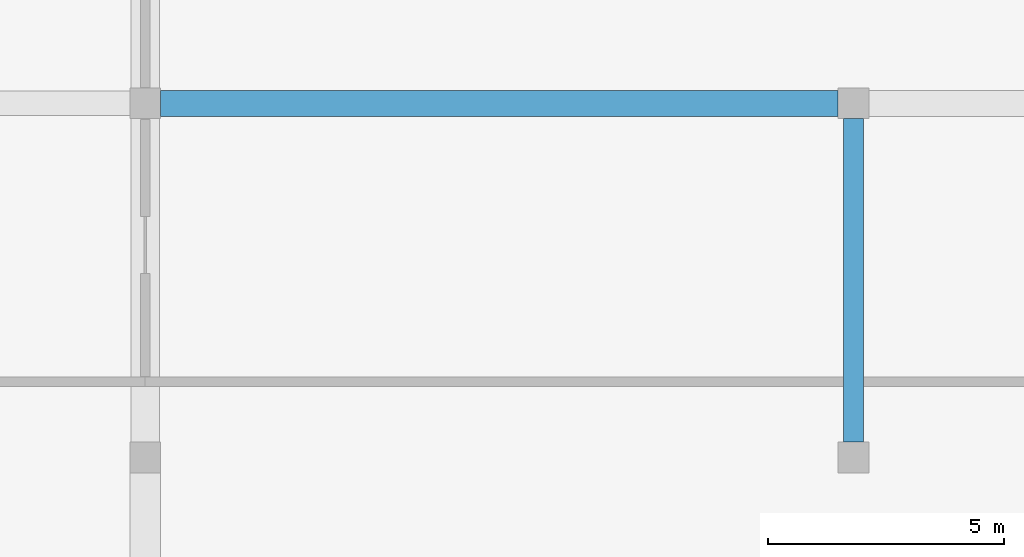
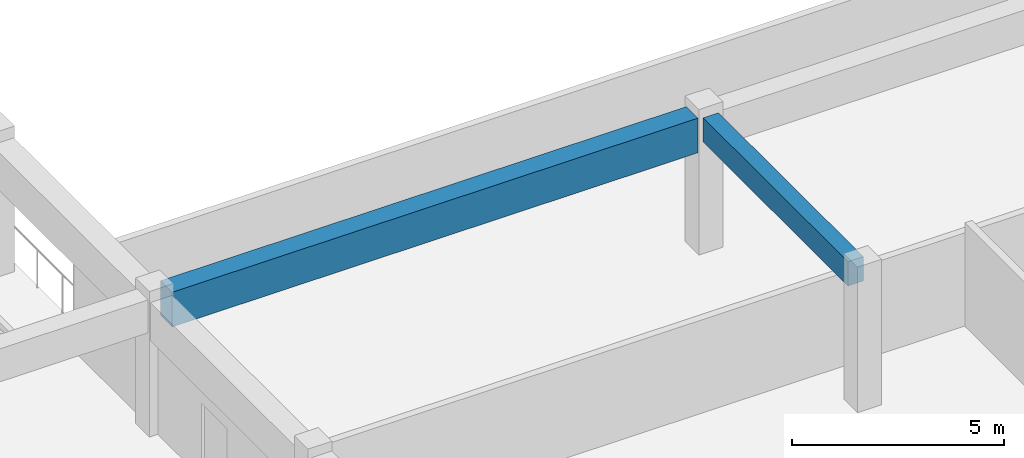
# One storey, part 13 of 51: 2 beams.
"""IFC4 building model written with IfcOpenShell, lengths in metres."""

import ifcopenshell
import ifcopenshell.guid

model = None  # the IFC model being written
_history = None  # IfcOwnerHistory: only IFC2X3 demands one
_inside = {}  # id of a spatial element -> (the spatial element, [elements in it])
_under = {}  # id of a project, library or spatial element -> (it, [spatial elements below it])
_declared = {}  # id of a project -> (the project, [libraries it declares])
_typed = {}  # id of a type object -> (the type object, [elements of that type])
_made_of = {}  # id of a material, layer set ... -> (it, [elements and type objects made of it])


def new_model(schema):
    """Start an empty IFC model of exactly this schema.

    Asked for "IFC4X3", IfcOpenShell would pick the latest addendum, in which some entities
    have other attributes; the version numbers below select the first issue.
    IFC2X3 requires an IfcOwnerHistory on every rooted entity: one is made here for all.
    """
    global model, _history
    if schema == "IFC4X3":
        model = ifcopenshell.file(schema_version=(4, 3, 0, 0))
    else:
        model = ifcopenshell.file(schema=schema)
    _inside.clear()
    _under.clear()
    _declared.clear()
    _typed.clear()
    _made_of.clear()
    _history = None
    if model.schema == "IFC2X3":
        org = make("IfcOrganization", Name="unknown")
        user = make(
            "IfcPersonAndOrganization",
            ThePerson=make("IfcPerson", FamilyName="unknown"),
            TheOrganization=org,
        )
        app = make(
            "IfcApplication",
            ApplicationDeveloper=org,
            Version="unknown",
            ApplicationFullName="unknown",
            ApplicationIdentifier="unknown",
        )
        _history = make(
            "IfcOwnerHistory",
            OwningUser=user,
            OwningApplication=app,
            ChangeAction="ADDED",
            CreationDate=0,
        )
    return model


def make(cls, **values):
    """One entity of the class cls with the attributes given. An attribute that is None is left unset."""
    return model.create_entity(
        cls, **{name: value for name, value in values.items() if value is not None}
    )


def rooted(cls, **values):
    """An entity with a GlobalId (a new one), such as an element, a storey or a relation."""
    return make(cls, GlobalId=ifcopenshell.guid.new(), OwnerHistory=_history, **values)


def si_unit(unit_type, name, prefix=None):
    """IfcSIUnit, for example si_unit("LENGTHUNIT", "METRE", prefix="MILLI")."""
    return make("IfcSIUnit", UnitType=unit_type, Prefix=prefix, Name=name)


def assignment(units):
    """IfcUnitAssignment: the units of a project."""
    return None if units is None else make("IfcUnitAssignment", Units=units)


def point(xyz):
    """IfcCartesianPoint."""
    return None if xyz is None else make("IfcCartesianPoint", Coordinates=xyz)


def direction(xyz):
    """IfcDirection."""
    return None if xyz is None else make("IfcDirection", DirectionRatios=xyz)


def frame(location, z_axis=None, x_axis=None):
    """IfcAxis2Placement3D, a coordinate frame: its origin and axes. An axis left out is left unset."""
    return make(
        "IfcAxis2Placement3D",
        Location=point(location),
        Axis=direction(z_axis),
        RefDirection=direction(x_axis),
    )


def frame_2d(location, x_axis=None):
    """IfcAxis2Placement2D, a coordinate frame in the plane: its origin and x axis."""
    return make(
        "IfcAxis2Placement2D", Location=point(location), RefDirection=direction(x_axis)
    )


def origin():
    """The frame at (0, 0, 0) with its axes left unset."""
    return frame((0.0, 0.0, 0.0))


def origin_2d():
    """The frame at (0, 0) in the plane with its x axis left unset."""
    return frame_2d((0.0, 0.0))


def place(relative_to, where):
    """IfcLocalPlacement: puts the frame where relative to a parent placement (None: the world)."""
    return make(
        "IfcLocalPlacement", PlacementRelTo=relative_to, RelativePlacement=where
    )


def context(
    kind, dimensions, precision=None, world=None, true_north=None, identifier=None
):
    """IfcGeometricRepresentationContext, for example the 3D "Model" context."""
    return make(
        "IfcGeometricRepresentationContext",
        ContextIdentifier=identifier,
        ContextType=kind,
        CoordinateSpaceDimension=dimensions,
        Precision=precision,
        WorldCoordinateSystem=world,
        TrueNorth=true_north,
    )


def subcontext(parent, identifier, kind, view, scale=None):
    """IfcGeometricRepresentationSubContext, for example "Body" below "Model"."""
    return make(
        "IfcGeometricRepresentationSubContext",
        ContextIdentifier=identifier,
        ContextType=kind,
        ParentContext=parent,
        TargetScale=scale,
        TargetView=view,
    )


def project(units=None, contexts=None):
    """IfcProject with its units and contexts."""
    return rooted(
        "IfcProject",
        Name="project",
        RepresentationContexts=contexts,
        UnitsInContext=assignment(units),
    )


def spatial(cls, under=None, at=None, **own):
    """A site, building, storey or space (cls), placed at a placement, below another one or the project."""
    s = rooted(cls, ObjectPlacement=at, **own)
    if under is not None:
        _under.setdefault(under.id(), (under, []))[1].append(s)
    return s


def profile(cls, at=None, kind="AREA", **sizes):
    """A parametric profile (cls). Its sizes go by their IFC names, for example OverallWidth=200.0."""
    return make(cls, ProfileType=kind, Position=at, **sizes)


def rectangle(**sizes):
    """IfcRectangleProfileDef."""
    return profile("IfcRectangleProfileDef", **sizes)


def extrude(swept, where, along, depth):
    """IfcExtrudedAreaSolid: the profile swept, set in the frame where, extruded along a direction by depth."""
    return make(
        "IfcExtrudedAreaSolid",
        SweptArea=swept,
        Position=where,
        ExtrudedDirection=direction(along),
        Depth=depth,
    )


def shape(context_of_items, identifier, shape_type, items):
    """IfcShapeRepresentation: the items that make up one representation, for example the "Body"."""
    return make(
        "IfcShapeRepresentation",
        ContextOfItems=context_of_items,
        RepresentationIdentifier=identifier,
        RepresentationType=shape_type,
        Items=items,
    )


def material(Name=None, Category=None):
    """IfcMaterial."""
    return make("IfcMaterial", Name=Name, Category=Category)


def material_profile(
    of_material, cross_section, Name=None, Category=None, Priority=None
):
    """IfcMaterialProfile: a cross section and its material."""
    return make(
        "IfcMaterialProfile",
        Name=Name,
        Material=of_material,
        Profile=cross_section,
        Priority=Priority,
        Category=Category,
    )


def profile_set(profiles, Name=None, composite=None):
    """IfcMaterialProfileSet."""
    return make(
        "IfcMaterialProfileSet",
        Name=Name,
        MaterialProfiles=profiles,
        CompositeProfile=composite,
    )


def made_of(thing, what):
    """Note that an element or type object is made of a material, layer set ...; save() writes the relation."""
    if what is not None:
        _made_of.setdefault(what.id(), (what, []))[1].append(thing)
    return thing


def type_object(cls, material=None, **own):
    """A type object (cls), such as IfcWallType, which elements share."""
    return made_of(rooted(cls, **own), material)


def element(
    cls,
    number,
    at=None,
    inside=None,
    cuts=None,
    type_object=None,
    material=None,
    context=None,
    identifier="Body",
    shape_type=None,
    held_by="IfcProductDefinitionShape",
    body=None,
    shapes=None,
    **own,
):
    """One element of the class cls, such as IfcWall. Its Tag is "e" and its number.

    at: its placement. inside: the storey or other place that contains it. cuts: it is an
    opening in that element (IfcRelVoidsElement). A single representation is given by context,
    identifier, shape_type and body (its items); several are given by shapes. held_by: the class
    of the entity that holds the representations. save() writes the other relations.
    """
    e = rooted(cls, Tag="e%d" % number, ObjectPlacement=at, **own)
    if body is not None:
        shapes = [shape(context, identifier, shape_type, body)]
    if shapes is not None:
        e.Representation = make(held_by, Representations=shapes)
    if inside is not None:
        _inside.setdefault(inside.id(), (inside, []))[1].append(e)
    if cuts is not None:
        rooted(
            "IfcRelVoidsElement", RelatingBuildingElement=cuts, RelatedOpeningElement=e
        )
    if type_object is not None:
        _typed.setdefault(type_object.id(), (type_object, []))[1].append(e)
    return made_of(e, material)


def aggregate(whole, parts):
    """IfcRelAggregates: a whole, such as a stair, and the parts it consists of."""
    return rooted("IfcRelAggregates", RelatingObject=whole, RelatedObjects=parts)


def save(model, path):
    """Write the relations noted so far, then the file.

    IfcRelAggregates (storeys below a building ...), IfcRelContainedInSpatialStructure (elements
    in a storey), IfcRelDefinesByType, IfcRelAssociatesMaterial and IfcRelDeclares: one each for
    every whole, place, type object, material and project.
    """
    for whole, parts in _under.values():
        aggregate(whole, parts)
    for where, things in _inside.values():
        rooted(
            "IfcRelContainedInSpatialStructure",
            RelatedElements=things,
            RelatingStructure=where,
        )
    for kind, things in _typed.values():
        rooted("IfcRelDefinesByType", RelatedObjects=things, RelatingType=kind)
    for what, things in _made_of.values():
        rooted("IfcRelAssociatesMaterial", RelatedObjects=things, RelatingMaterial=what)
    for by, libraries in _declared.values():
        rooted("IfcRelDeclares", RelatingContext=by, RelatedDefinitions=libraries)
    model.write(path)


model = new_model("IFC4")

# Units and contexts
model_context = context("Model", 3, precision=1e-05, world=origin(), true_north=direction((0.0, 1.0)))
body_context = subcontext(model_context, "Body", "Model", "MODEL_VIEW")
ifc_project = project(units=[si_unit("LENGTHUNIT", "METRE"), si_unit("AREAUNIT", "SQUARE_METRE"), si_unit("VOLUMEUNIT", "CUBIC_METRE"), si_unit("PLANEANGLEUNIT", "RADIAN"), si_unit("MASSUNIT", "GRAM", prefix="KILO")], contexts=[model_context])

# Site, building, storey
site_placement = place(None, origin())
site = spatial("IfcSite", under=ifc_project, at=site_placement, CompositionType="ELEMENT")
building_placement = place(site_placement, origin())
building = spatial("IfcBuilding", under=site, at=building_placement, Name="Qasida Concert Hall", CompositionType="ELEMENT")
storey_placement = place(building_placement, frame((0.0, 0.0, 21.0)))
storey = spatial("IfcBuildingStorey", under=building, at=storey_placement, Name="L05", CompositionType="ELEMENT", Elevation=21.0)

# Beams
ifc_material = material(Name="Concrete C40/50", Category="concrete")
ifc_material_profile_1 = material_profile(ifc_material, rectangle(XDim=0.419921875, YDim=0.699951171875, at=origin_2d()), Name="RC 420x700")
ifc_profile_set_1 = profile_set([ifc_material_profile_1], Name="Concrete C40/50")
beam_type_1 = type_object("IfcBeamType", Name="BM-B11", PredefinedType="BEAM", material=ifc_profile_set_1)
beam_1_placement = place(storey_placement, frame((75.0, 22.824951171875, 3.570068359375), z_axis=(0.0, 1.0, 0.0), x_axis=(-1.0, 0.0, 0.0)))
element("IfcBeam", 1, at=beam_1_placement, inside=storey, type_object=beam_type_1, Name="L05 girder 2016", PredefinedType="BEAM", context=body_context, shape_type="SweptSolid", body=[
    extrude(rectangle(XDim=0.419921875, YDim=0.699951171875, at=origin_2d()), origin(), (0.0, 0.0, 1.0), 6.85009765625),
])
ifc_material_profile_2 = material_profile(ifc_material, rectangle(XDim=0.550048828125, YDim=1.0, at=origin_2d()), Name="RC 550x1000")
ifc_profile_set_2 = profile_set([ifc_material_profile_2], Name="Concrete C40/50")
beam_type_2 = type_object("IfcBeamType", Name="BM-G3", PredefinedType="USERDEFINED", material=ifc_profile_set_2)
beam_2_placement = place(storey_placement, frame((60.324951171875, 30.0, 3.419921875), z_axis=(1.0, 0.0, 0.0), x_axis=(0.0, 1.0, 0.0)))
element("IfcBeam", 2, at=beam_2_placement, inside=storey, type_object=beam_type_2, Name="Primary girder 1988", ObjectType="GIRDER", PredefinedType="USERDEFINED", context=body_context, shape_type="SweptSolid", body=[
    extrude(rectangle(XDim=0.550048828125, YDim=1.0, at=origin_2d()), origin(), (0.0, 0.0, 1.0), 14.35009765625),
])

save(model, "model.ifc")
